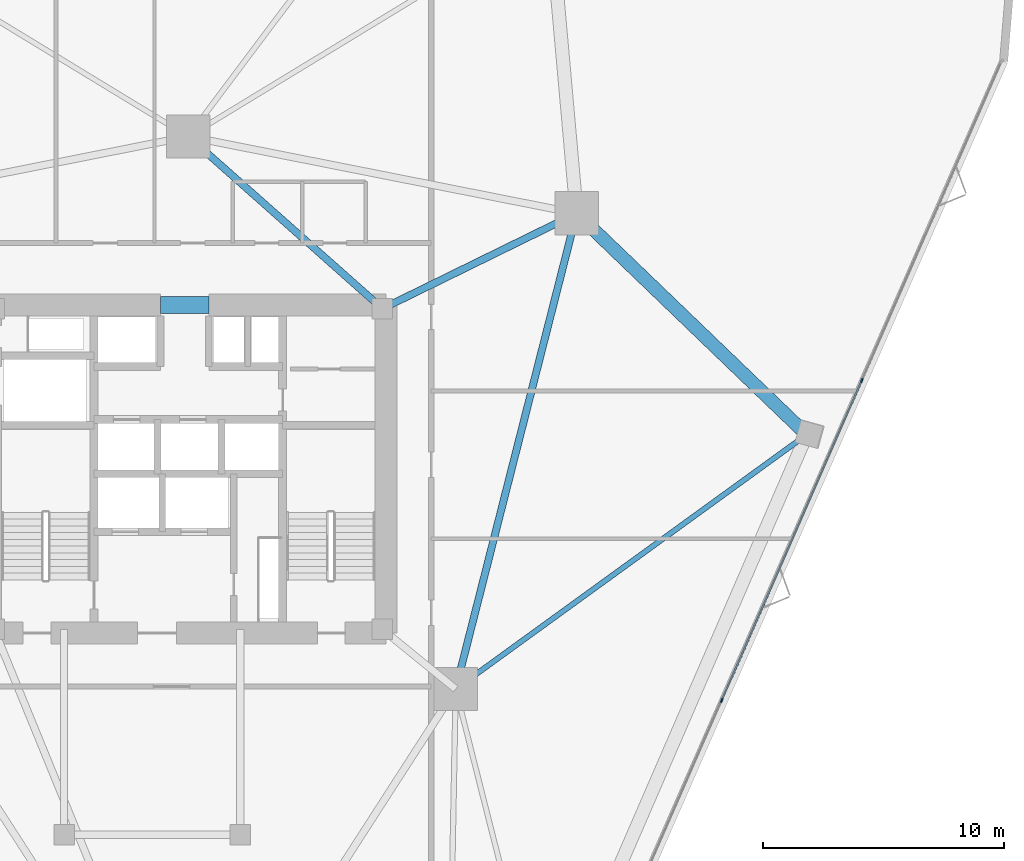
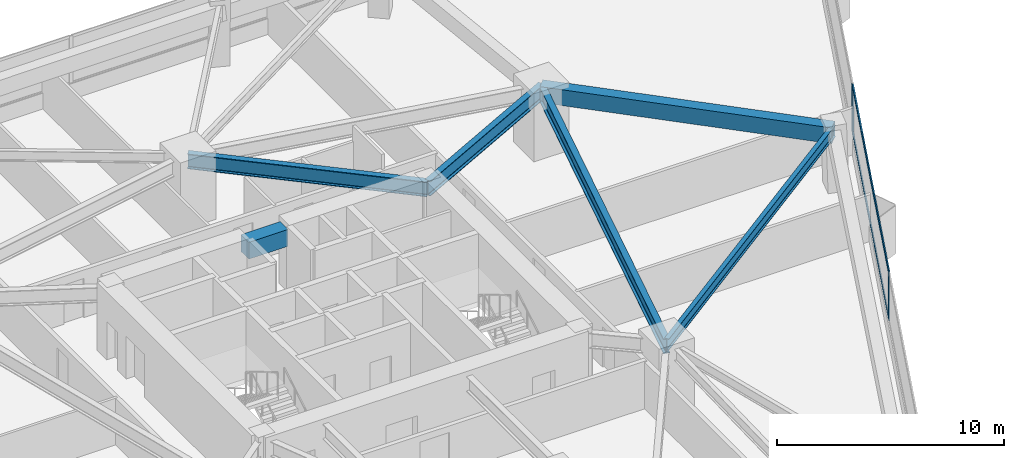
# One storey, part 9 of 20: 6 beams, 4 members, 1 element without a shape of its own.
"""IFC4 building model written with IfcOpenShell, lengths in metres."""

from ifc_helpers import new_model, si_unit, direction, frame, origin, origin_2d, place, context, subcontext, project, spatial, rectangle, i_section, extrude, material, layer, layer_set, material_profile, profile_set, type_object, element, aggregate, save


model = new_model("IFC4")

# Units and contexts
model_context = context("Model", 3, precision=1e-05, world=origin(), true_north=direction((0.0, 1.0)))
body_context = subcontext(model_context, "Body", "Model", "MODEL_VIEW")
ifc_project = project(units=[si_unit("LENGTHUNIT", "METRE"), si_unit("AREAUNIT", "SQUARE_METRE"), si_unit("VOLUMEUNIT", "CUBIC_METRE"), si_unit("PLANEANGLEUNIT", "RADIAN"), si_unit("MASSUNIT", "GRAM", prefix="KILO")], contexts=[model_context])

# Site, building, storey
site_placement = place(None, origin())
site = spatial("IfcSite", under=ifc_project, at=site_placement, CompositionType="ELEMENT")
building_placement = place(site_placement, origin())
building = spatial("IfcBuilding", under=site, at=building_placement, Name="Talyreon Biosciences Tower", CompositionType="ELEMENT")
storey_placement = place(building_placement, frame((0.0, 0.0, 37.39990234375)))
storey = spatial("IfcBuildingStorey", under=building, at=storey_placement, Name="L09", CompositionType="ELEMENT", Elevation=37.39990234375)

# Curtain wall, members
ifc_material_1 = material(Name="Thermally broken aluminium and low-E glazing", Category="aluminium")
ifc_layer = layer(ifc_material_1, 0.195068359375)
ifc_layer_set = layer_set([ifc_layer], Name="Thermally broken aluminium and low-E glazing")
curtain_wall_type = type_object("IfcCurtainWallType", Name="CurtainWall_Zone1WetLab", PredefinedType="NOTDEFINED", material=ifc_layer_set)
curtain_wall_placement = place(storey_placement, origin())
curtain_wall = element("IfcCurtainWall", 1, at=curtain_wall_placement, inside=storey, type_object=curtain_wall_type, Name="L09 Unitised Curtain Wall FCW-L09-08", PredefinedType="NOTDEFINED")
ifc_material_2 = material(Name="Anodised thermally broken aluminium", Category="aluminium")
ifc_material_profile_1 = material_profile(ifc_material_2, rectangle(XDim=0.06494140625, YDim=0.179931640625, at=origin_2d()), Name="ALUM MULLION 65x180")
ifc_profile_set_1 = profile_set([ifc_material_profile_1], Name="Anodised thermally broken aluminium")
member_type_1 = type_object("IfcMemberType", Name="CWMullion_65x180", PredefinedType="MULLION", material=ifc_profile_set_1)
member_1_placement = place(storey_placement, frame((93.9267578125, 71.6708984375, 0.81005859375), z_axis=(0.0, 0.0, 1.0), x_axis=(0.915980408101, -0.401222995321, 0.0)))
member_1 = element("IfcMember", 2, at=member_1_placement, type_object=member_type_1, Name="CW2 mullion 2", PredefinedType="MULLION", context=body_context, shape_type="SweptSolid", body=[
    extrude(rectangle(XDim=0.06494140625, YDim=0.179931640625, at=origin_2d()), origin(), (0.0, 0.0, 1.0), 2.56494140625),
])
member_2_placement = place(storey_placement, frame((88.117431640625, 58.40869140625, 0.81005859375), z_axis=(0.0, 0.0, 1.0), x_axis=(0.915980408101, -0.401222995321, 0.0)))
member_2 = element("IfcMember", 3, at=member_2_placement, type_object=member_type_1, Name="CW2 mullion 3", PredefinedType="MULLION", context=body_context, shape_type="SweptSolid", body=[
    extrude(rectangle(XDim=0.06494140625, YDim=0.179931640625, at=origin_2d()), origin(), (0.0, 0.0, 1.0), 2.56494140625),
])
ifc_material_profile_2 = material_profile(ifc_material_2, rectangle(XDim=0.06494140625, YDim=0.139892578125, at=origin_2d()), Name="ALUM TRANSOM 65x140")
ifc_profile_set_2 = profile_set([ifc_material_profile_2], Name="Anodised thermally broken aluminium")
member_type_2 = type_object("IfcMemberType", Name="CWTransom_65x140", PredefinedType="USERDEFINED", material=ifc_profile_set_2)
member_3_placement = place(storey_placement, frame((93.91357421875, 71.64111328125, 0.842529296875), z_axis=(-0.401215094817, -0.915983868685, 0.0), x_axis=(0.915983868685, -0.401215094817, 0.0)))
member_3 = element("IfcMember", 4, at=member_3_placement, type_object=member_type_2, Name="CW2 transom 2.1", ObjectType="TRANSOM", PredefinedType="USERDEFINED", context=body_context, shape_type="SweptSolid", body=[
    extrude(rectangle(XDim=0.06494140625, YDim=0.139892578125, at=origin_2d()), origin(), (0.0, 0.0, 1.0), 14.41357421875),
])
member_4_placement = place(storey_placement, frame((93.91357421875, 71.64111328125, 3.342529296875), z_axis=(-0.401215094817, -0.915983868685, 0.0), x_axis=(0.915983868685, -0.401215094817, 0.0)))
member_4 = element("IfcMember", 5, at=member_4_placement, type_object=member_type_2, Name="CW2 transom 2.2", ObjectType="TRANSOM", PredefinedType="USERDEFINED", context=body_context, shape_type="SweptSolid", body=[
    extrude(rectangle(XDim=0.06494140625, YDim=0.139892578125, at=origin_2d()), origin(), (0.0, 0.0, 1.0), 14.41357421875),
])
aggregate(curtain_wall, [member_1, member_2, member_3, member_4])

# Beams
ifc_material_3 = material(Name="Concrete C60/75", Category="concrete")
ifc_material_profile_3 = material_profile(ifc_material_3, rectangle(XDim=0.699951171875, YDim=0.89990234375, at=origin_2d()), Name="RCB 700x900")
ifc_profile_set_3 = profile_set([ifc_material_profile_3], Name="Concrete C60/75")
beam_type_1 = type_object("IfcBeamType", Name="CoreCouplingLintel_700x900", PredefinedType="LINTEL", material=ifc_profile_set_3)
beam_1_placement = place(storey_placement, frame((64.85009765625, 74.800048828125, 2.925048828125), z_axis=(1.0, 0.0, 0.0), x_axis=(0.0, 1.0, 0.0)))
element("IfcBeam", 6, at=beam_1_placement, inside=storey, type_object=beam_type_1, Name="L09 Core Coupling Lintel", PredefinedType="LINTEL", context=body_context, shape_type="SweptSolid", body=[
    extrude(rectangle(XDim=0.699951171875, YDim=0.89990234375, at=origin_2d()), origin(), (0.0, 0.0, 1.0), 2.0),
])
ifc_material_4 = material(Name="Precast concrete C45/55", Category="concrete")
ifc_material_profile_4 = material_profile(ifc_material_4, rectangle(XDim=0.550048828125, YDim=0.85009765625, at=origin_2d()), Name="RCB 550x850")
ifc_profile_set_4 = profile_set([ifc_material_profile_4], Name="Precast concrete C45/55")
beam_type_2 = type_object("IfcBeamType", Name="ExpressedSpandrel_550x850", PredefinedType="SPANDREL", material=ifc_profile_set_4)
beam_2_placement = place(storey_placement, frame((91.6416015625, 69.427001953125, 2.9501953125), z_axis=(-0.720862489252, 0.693078113627, 0.0), x_axis=(-0.693078113627, -0.720862489252, 0.0)))
element("IfcBeam", 7, at=beam_2_placement, inside=storey, type_object=beam_type_2, Name="L09 Expressed Horizontal Concrete Spandrel 04", PredefinedType="SPANDREL", context=body_context, shape_type="SweptSolid", body=[
    extrude(rectangle(XDim=0.550048828125, YDim=0.85009765625, at=origin_2d()), origin(), (0.0, 0.0, 1.0), 13.233154296875),
])
ifc_material_5 = material(Name="Steel SM355", Category="steel")
ifc_material_profile_5 = material_profile(ifc_material_5, i_section(OverallWidth=0.300048828125, OverallDepth=0.800048828125, WebThickness=0.017578125, FlangeThickness=0.032958984375, FilletRadius=0.030029296875, at=origin_2d()), Name="HE800B")
ifc_profile_set_5 = profile_set([ifc_material_profile_5], Name="Steel SM355")
beam_type_3 = type_object("IfcBeamType", Name="SteelGirder_HE800B", PredefinedType="BEAM", material=ifc_profile_set_5)
beam_3_placement = place(storey_placement, frame((77.086181640625, 58.88037109375, 2.97509765625), z_axis=(0.246537082299, 0.969133358755, 0.0), x_axis=(-0.969133358755, 0.246537082299, 0.0)))
element("IfcBeam", 8, at=beam_3_placement, inside=storey, type_object=beam_type_3, Name="L09 Mega-Ring Girder 2", PredefinedType="BEAM", context=body_context, shape_type="SweptSolid", body=[
    extrude(i_section(OverallWidth=0.300048828125, OverallDepth=0.800048828125, WebThickness=0.017578125, FlangeThickness=0.032958984375, FilletRadius=0.030029296875, at=origin_2d()), origin(), (0.0, 0.0, 1.0), 20.34619140625),
])
beam_4_placement = place(storey_placement, frame((74.050048828125, 74.64990234375, 2.97509765625), z_axis=(0.897852360314, 0.440296648952, 0.0), x_axis=(-0.440296648952, 0.897852360314, 0.0)))
element("IfcBeam", 9, at=beam_4_placement, inside=storey, type_object=beam_type_3, Name="L09 Radial Primary Girder 3", PredefinedType="BEAM", context=body_context, shape_type="SweptSolid", body=[
    extrude(i_section(OverallWidth=0.300048828125, OverallDepth=0.800048828125, WebThickness=0.017578125, FlangeThickness=0.032958984375, FilletRadius=0.030029296875, at=origin_2d()), origin(), (0.0, 0.0, 1.0), 8.96826171875),
])
beam_5_placement = place(storey_placement, frame((74.050048828125, 74.64990234375, 2.97509765625), z_axis=(-0.748178733955, 0.663497235908, 0.0), x_axis=(-0.663497235908, -0.748178733955, 0.0)))
element("IfcBeam", 10, at=beam_5_placement, inside=storey, type_object=beam_type_3, Name="L09 Radial Primary Girder 4", PredefinedType="BEAM", context=body_context, shape_type="SweptSolid", body=[
    extrude(i_section(OverallWidth=0.300048828125, OverallDepth=0.800048828125, WebThickness=0.017578125, FlangeThickness=0.032958984375, FilletRadius=0.030029296875, at=origin_2d()), origin(), (0.0, 0.0, 1.0), 10.759521484375),
])
ifc_material_profile_6 = material_profile(ifc_material_5, i_section(OverallWidth=0.219970703125, OverallDepth=0.60009765625, WebThickness=0.011962890625, FlangeThickness=0.01904296875, FilletRadius=0.02392578125, at=origin_2d()), Name="IPE600")
ifc_profile_set_6 = profile_set([ifc_material_profile_6], Name="Steel SM355")
beam_type_4 = type_object("IfcBeamType", Name="SteelJoist_IPE600", PredefinedType="JOIST", material=ifc_profile_set_6)
beam_6_placement = place(storey_placement, frame((77.086181640625, 58.88037109375, 3.0751953125), z_axis=(0.809770325345, 0.586746981408, 0.0), x_axis=(-0.586746981408, 0.809770325345, 0.0)))
element("IfcBeam", 11, at=beam_6_placement, inside=storey, type_object=beam_type_4, Name="L09 Radial Composite Floor Joist PC-SE2", PredefinedType="JOIST", context=body_context, shape_type="SweptSolid", body=[
    extrude(i_section(OverallWidth=0.219970703125, OverallDepth=0.60009765625, WebThickness=0.011962890625, FlangeThickness=0.01904296875, FilletRadius=0.02392578125, at=origin_2d()), origin(), (0.0, 0.0, 1.0), 17.974853515625),
])

save(model, "model.ifc")
